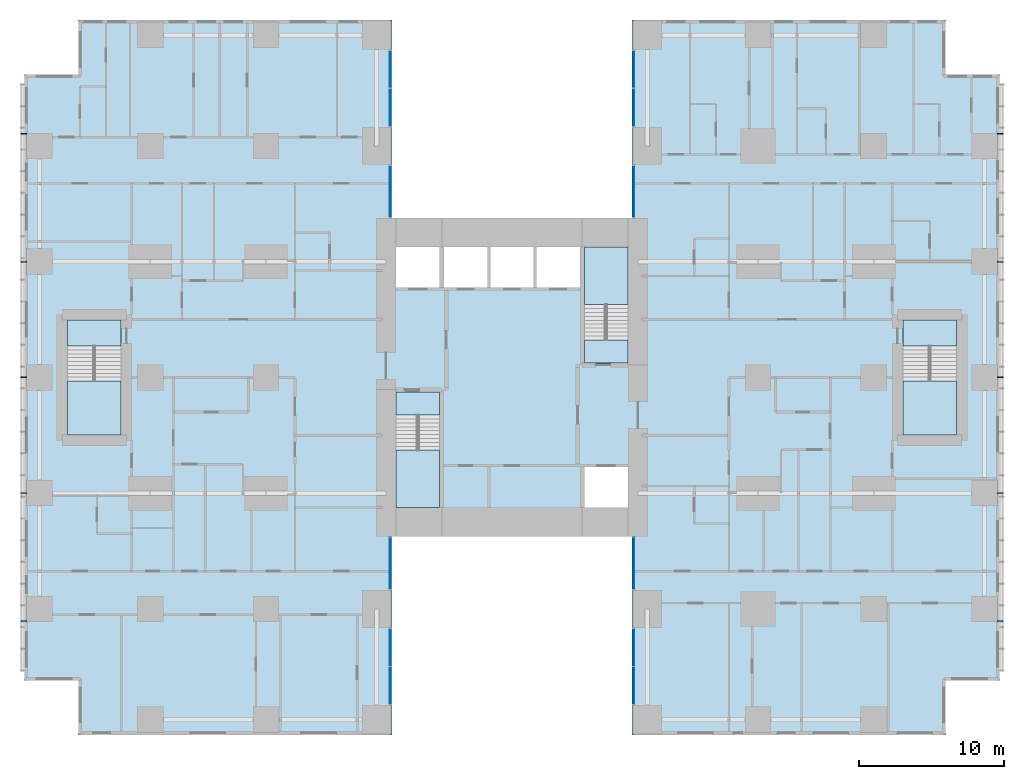
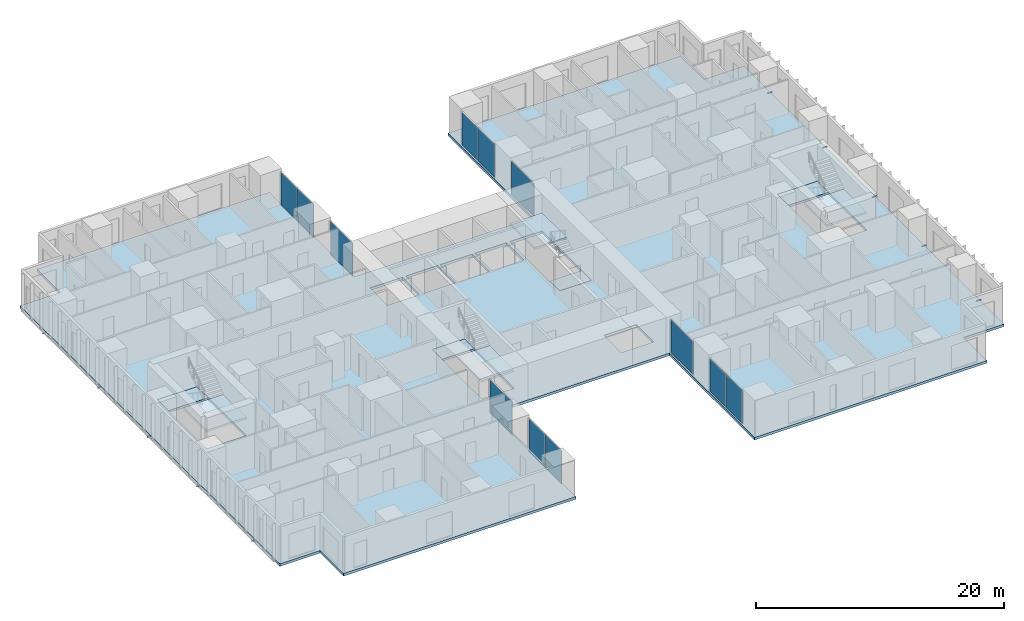
# One storey, part 7 of 20: 12 plates, 10 members, 9 slabs, 12 elements without a shape of their own.
"""IFC4 building model written with IfcOpenShell, lengths in metres."""

from ifc_helpers import new_model, si_unit, direction, frame, origin, origin_2d, place, context, subcontext, project, spatial, polyline, rectangle, hollow_rectangle, outline, extrude, material, layer, layer_set, material_profile, profile_set, type_object, element, aggregate, save


model = new_model("IFC4")

# Units and contexts
model_context = context("Model", 3, precision=1e-05, world=origin(), true_north=direction((0.0, 1.0)))
body_context = subcontext(model_context, "Body", "Model", "MODEL_VIEW")
ifc_project = project(units=[si_unit("LENGTHUNIT", "METRE"), si_unit("AREAUNIT", "SQUARE_METRE"), si_unit("VOLUMEUNIT", "CUBIC_METRE"), si_unit("PLANEANGLEUNIT", "RADIAN"), si_unit("MASSUNIT", "GRAM", prefix="KILO")], contexts=[model_context])

# Site, building, storey
site_placement = place(None, origin())
site = spatial("IfcSite", under=ifc_project, at=site_placement, CompositionType="ELEMENT")
building_placement = place(site_placement, origin())
building = spatial("IfcBuilding", under=site, at=building_placement, Name="Cleftline Residences", CompositionType="ELEMENT")
storey_placement = place(building_placement, frame((0.0, 0.0, 193.0)))
storey = spatial("IfcBuildingStorey", under=building, at=storey_placement, Name="L50", CompositionType="ELEMENT", Elevation=193.0)

# Members
ifc_material_1 = material(Name="Steel S355, hot-dip galvanised", Category="steel")
ifc_material_profile = material_profile(ifc_material_1, hollow_rectangle(XDim=0.10009765625, YDim=0.10009765625, WallThickness=0.008056640625, InnerFilletRadius=0.008056640625, OuterFilletRadius=0.011962890625, at=origin_2d()))
ifc_profile_set = profile_set([ifc_material_profile], Name="Steel S355, hot-dip galvanised")
member_type = type_object("IfcMemberType", Name="BAGUETTE BRACKET SHS 100X100X8", PredefinedType="USERDEFINED", material=ifc_profile_set)
for number, where, z_axis, x_axis, name in (
    (1, (66.5, 7.14990234375, -0.14990234375), (1.0, 0.0, 0.0), (0.0, 1.0, 0.0), "Baguette bracket"),
    (2, (66.5, 16.0, -0.14990234375), (1.0, 0.0, 0.0), (0.0, 1.0, 0.0), "Baguette bracket"),
    (3, (66.5, 24.0, -0.14990234375), (1.0, 0.0, 0.0), (0.0, 1.0, 0.0), "Baguette bracket"),
    (4, (66.5, 32.0, -0.14990234375), (1.0, 0.0, 0.0), (0.0, 1.0, 0.0), "Baguette bracket"),
    (5, (66.5, 40.85009765625, -0.14990234375), (1.0, 0.0, 0.0), (0.0, 1.0, 0.0), "Baguette bracket"),
    (6, (-0.5, 40.85009765625, -0.14990234375), (-1.0, 0.0, 0.0), (0.0, -1.0, 0.0), "Baguette bracket"),
    (7, (-0.5, 32.0, -0.14990234375), (-1.0, 0.0, 0.0), (0.0, -1.0, 0.0), "Baguette bracket"),
    (8, (-0.5, 24.0, -0.14990234375), (-1.0, 0.0, 0.0), (0.0, -1.0, 0.0), "Baguette bracket"),
    (9, (-0.5, 16.0, -0.14990234375), (-1.0, 0.0, 0.0), (0.0, -1.0, 0.0), "Baguette bracket"),
    (10, (-0.5, 7.14990234375, -0.14990234375), (-1.0, 0.0, 0.0), (0.0, -1.0, 0.0), "Baguette bracket"),
):
    element("IfcMember", number, at=place(storey_placement, frame(where, z_axis=z_axis, x_axis=x_axis)), inside=storey, type_object=member_type, Name=name, ObjectType="BAGUETTE BRACKET", PredefinedType="USERDEFINED", context=body_context, shape_type="SweptSolid", body=[
        extrude(hollow_rectangle(XDim=0.10009765625, YDim=0.10009765625, WallThickness=0.008056640625, InnerFilletRadius=0.008056640625, OuterFilletRadius=0.011962890625, at=origin_2d()), origin(), (0.0, 0.0, 1.0), 0.449951171875),
    ])

# Curtain wall, plates
ifc_material_2 = material(Name="Aluminium framed curtain wall", Category="aluminium")
ifc_layer_1 = layer(ifc_material_2, 0.199951171875)
ifc_layer_set_1 = layer_set([ifc_layer_1], Name="CW1 CLEFT GLAZING")
curtain_wall_type = type_object("IfcCurtainWallType", Name="CW1 CLEFT GLAZING", PredefinedType="NOTDEFINED", material=ifc_layer_set_1)
curtain_wall_1_placement = place(storey_placement, origin())
curtain_wall_1 = element("IfcCurtainWall", 11, at=curtain_wall_1_placement, inside=storey, type_object=curtain_wall_type, Name="Curtain wall CW1", PredefinedType="NOTDEFINED")
ifc_material_3 = material(Name="Laminated clear glass", Category="glass")
ifc_layer_2 = layer(ifc_material_3, 0.028076171875)
ifc_layer_set_2 = layer_set([ifc_layer_2], Name="CW1 GLASS PANEL")
plate_type = type_object("IfcPlateType", Name="CW1 GLASS PANEL", PredefinedType="CURTAIN_PANEL", material=ifc_layer_set_2)
plate_1_placement = place(storey_placement, frame((24.574951171875, 2.702392578125, 0.06005859375), z_axis=(0.0, 0.0, 1.0), x_axis=(0.0, 1.0, 0.0)))
plate_1 = element("IfcPlate", 12, at=plate_1_placement, type_object=plate_type, Name="CW1 panel 1.1", PredefinedType="CURTAIN_PANEL", context=body_context, shape_type="SweptSolid", body=[
    extrude(rectangle(XDim=2.5849609375, YDim=0.028076171875, at=origin_2d()), origin(), (0.0, 0.0, 1.0), 3.22998046875),
])
plate_2_placement = place(storey_placement, frame((24.574951171875, 5.347412109375, 0.06005859375), z_axis=(0.0, 0.0, 1.0), x_axis=(0.0, 1.0, 0.0)))
plate_2 = element("IfcPlate", 13, at=plate_2_placement, type_object=plate_type, Name="CW1 panel 2.1", PredefinedType="CURTAIN_PANEL", context=body_context, shape_type="SweptSolid", body=[
    extrude(rectangle(XDim=2.5849609375, YDim=0.028076171875, at=origin_2d()), origin(), (0.0, 0.0, 1.0), 3.22998046875),
])
aggregate(curtain_wall_1, [plate_1, plate_2])

# Curtain wall, plate
curtain_wall_2_placement = place(storey_placement, origin())
curtain_wall_2 = element("IfcCurtainWall", 14, at=curtain_wall_2_placement, inside=storey, type_object=curtain_wall_type, Name="Curtain wall CW1", PredefinedType="NOTDEFINED")
plate_3_placement = place(storey_placement, frame((24.574951171875, 11.14990234375, 0.06005859375), z_axis=(0.0, 0.0, 1.0), x_axis=(0.0, 1.0, 0.0)))
plate_3 = element("IfcPlate", 15, at=plate_3_placement, type_object=plate_type, Name="CW1 panel 1.1", PredefinedType="CURTAIN_PANEL", context=body_context, shape_type="SweptSolid", body=[
    extrude(rectangle(XDim=3.580078125, YDim=0.028076171875, at=origin_2d()), origin(), (0.0, 0.0, 1.0), 3.22998046875),
])
aggregate(curtain_wall_2, [plate_3])

curtain_wall_3_placement = place(storey_placement, origin())
curtain_wall_3 = element("IfcCurtainWall", 16, at=curtain_wall_3_placement, inside=storey, type_object=curtain_wall_type, Name="Curtain wall CW1", PredefinedType="NOTDEFINED")
plate_4_placement = place(storey_placement, frame((41.425048828125, 11.14990234375, 0.06005859375), z_axis=(0.0, 0.0, 1.0), x_axis=(0.0, -1.0, 0.0)))
plate_4 = element("IfcPlate", 17, at=plate_4_placement, type_object=plate_type, Name="CW1 panel 1.1", PredefinedType="CURTAIN_PANEL", context=body_context, shape_type="SweptSolid", body=[
    extrude(rectangle(XDim=3.580078125, YDim=0.028076171875, at=origin_2d()), origin(), (0.0, 0.0, 1.0), 3.22998046875),
])
aggregate(curtain_wall_3, [plate_4])

# Curtain wall, plates
curtain_wall_4_placement = place(storey_placement, origin())
curtain_wall_4 = element("IfcCurtainWall", 18, at=curtain_wall_4_placement, inside=storey, type_object=curtain_wall_type, Name="Curtain wall CW1", PredefinedType="NOTDEFINED")
plate_5_placement = place(storey_placement, frame((41.425048828125, 5.347412109375, 0.06005859375), z_axis=(0.0, 0.0, 1.0), x_axis=(0.0, -1.0, 0.0)))
plate_5 = element("IfcPlate", 19, at=plate_5_placement, type_object=plate_type, Name="CW1 panel 1.1", PredefinedType="CURTAIN_PANEL", context=body_context, shape_type="SweptSolid", body=[
    extrude(rectangle(XDim=2.5849609375, YDim=0.028076171875, at=origin_2d()), origin(), (0.0, 0.0, 1.0), 3.22998046875),
])
plate_6_placement = place(storey_placement, frame((41.425048828125, 2.702392578125, 0.06005859375), z_axis=(0.0, 0.0, 1.0), x_axis=(0.0, -1.0, 0.0)))
plate_6 = element("IfcPlate", 20, at=plate_6_placement, type_object=plate_type, Name="CW1 panel 2.1", PredefinedType="CURTAIN_PANEL", context=body_context, shape_type="SweptSolid", body=[
    extrude(rectangle(XDim=2.5849609375, YDim=0.028076171875, at=origin_2d()), origin(), (0.0, 0.0, 1.0), 3.22998046875),
])
aggregate(curtain_wall_4, [plate_5, plate_6])

curtain_wall_5_placement = place(storey_placement, origin())
curtain_wall_5 = element("IfcCurtainWall", 21, at=curtain_wall_5_placement, inside=storey, type_object=curtain_wall_type, Name="Curtain wall CW1", PredefinedType="NOTDEFINED")
plate_7_placement = place(storey_placement, frame((41.425048828125, 45.297607421875, 0.06005859375), z_axis=(0.0, 0.0, 1.0), x_axis=(0.0, -1.0, 0.0)))
plate_7 = element("IfcPlate", 22, at=plate_7_placement, type_object=plate_type, Name="CW1 panel 1.1", PredefinedType="CURTAIN_PANEL", context=body_context, shape_type="SweptSolid", body=[
    extrude(rectangle(XDim=2.5849609375, YDim=0.028076171875, at=origin_2d()), origin(), (0.0, 0.0, 1.0), 3.22998046875),
])
plate_8_placement = place(storey_placement, frame((41.425048828125, 42.652587890625, 0.06005859375), z_axis=(0.0, 0.0, 1.0), x_axis=(0.0, -1.0, 0.0)))
plate_8 = element("IfcPlate", 23, at=plate_8_placement, type_object=plate_type, Name="CW1 panel 2.1", PredefinedType="CURTAIN_PANEL", context=body_context, shape_type="SweptSolid", body=[
    extrude(rectangle(XDim=2.5849609375, YDim=0.028076171875, at=origin_2d()), origin(), (0.0, 0.0, 1.0), 3.22998046875),
])
aggregate(curtain_wall_5, [plate_7, plate_8])

# Curtain wall, plate
curtain_wall_6_placement = place(storey_placement, origin())
curtain_wall_6 = element("IfcCurtainWall", 24, at=curtain_wall_6_placement, inside=storey, type_object=curtain_wall_type, Name="Curtain wall CW1", PredefinedType="NOTDEFINED")
plate_9_placement = place(storey_placement, frame((41.425048828125, 36.85009765625, 0.06005859375), z_axis=(0.0, 0.0, 1.0), x_axis=(0.0, -1.0, 0.0)))
plate_9 = element("IfcPlate", 25, at=plate_9_placement, type_object=plate_type, Name="CW1 panel 1.1", PredefinedType="CURTAIN_PANEL", context=body_context, shape_type="SweptSolid", body=[
    extrude(rectangle(XDim=3.580078125, YDim=0.028076171875, at=origin_2d()), origin(), (0.0, 0.0, 1.0), 3.22998046875),
])
aggregate(curtain_wall_6, [plate_9])

curtain_wall_7_placement = place(storey_placement, origin())
curtain_wall_7 = element("IfcCurtainWall", 26, at=curtain_wall_7_placement, inside=storey, type_object=curtain_wall_type, Name="Curtain wall CW1", PredefinedType="NOTDEFINED")
plate_10_placement = place(storey_placement, frame((24.574951171875, 36.85009765625, 0.06005859375), z_axis=(0.0, 0.0, 1.0), x_axis=(0.0, 1.0, 0.0)))
plate_10 = element("IfcPlate", 27, at=plate_10_placement, type_object=plate_type, Name="CW1 panel 1.1", PredefinedType="CURTAIN_PANEL", context=body_context, shape_type="SweptSolid", body=[
    extrude(rectangle(XDim=3.580078125, YDim=0.028076171875, at=origin_2d()), origin(), (0.0, 0.0, 1.0), 3.22998046875),
])
aggregate(curtain_wall_7, [plate_10])

# Curtain wall, plates
curtain_wall_8_placement = place(storey_placement, origin())
curtain_wall_8 = element("IfcCurtainWall", 28, at=curtain_wall_8_placement, inside=storey, type_object=curtain_wall_type, Name="Curtain wall CW1", PredefinedType="NOTDEFINED")
plate_11_placement = place(storey_placement, frame((24.574951171875, 42.652587890625, 0.06005859375), z_axis=(0.0, 0.0, 1.0), x_axis=(0.0, 1.0, 0.0)))
plate_11 = element("IfcPlate", 29, at=plate_11_placement, type_object=plate_type, Name="CW1 panel 1.1", PredefinedType="CURTAIN_PANEL", context=body_context, shape_type="SweptSolid", body=[
    extrude(rectangle(XDim=2.5849609375, YDim=0.028076171875, at=origin_2d()), origin(), (0.0, 0.0, 1.0), 3.22998046875),
])
plate_12_placement = place(storey_placement, frame((24.574951171875, 45.297607421875, 0.06005859375), z_axis=(0.0, 0.0, 1.0), x_axis=(0.0, 1.0, 0.0)))
plate_12 = element("IfcPlate", 30, at=plate_12_placement, type_object=plate_type, Name="CW1 panel 2.1", PredefinedType="CURTAIN_PANEL", context=body_context, shape_type="SweptSolid", body=[
    extrude(rectangle(XDim=2.5849609375, YDim=0.028076171875, at=origin_2d()), origin(), (0.0, 0.0, 1.0), 3.22998046875),
])
aggregate(curtain_wall_8, [plate_11, plate_12])

# Slab
ifc_material_4 = material(Name="Concrete B45", Category="concrete")
ifc_layer_3 = layer(ifc_material_4, 0.25)
ifc_layer_set_3 = layer_set([ifc_layer_3], Name="FLOOR SLAB 250")
slab_type_1 = type_object("IfcSlabType", Name="FLOOR SLAB 250", PredefinedType="FLOOR", material=ifc_layer_set_3)
slab_1_placement = place(storey_placement, frame((0.0, 0.0, -0.25)))
element("IfcSlab", 31, at=slab_1_placement, inside=storey, type_object=slab_type_1, Name="Floor slab L50", PredefinedType="FLOOR", context=body_context, shape_type="SweptSolid", body=[
    extrude(outline(polyline([(24.699951171875, 13.0), (41.300048828125, 13.0), (41.300048828125, -0.699951171875), (62.949951171875, -0.699951171875), (62.949951171875, 3.050048828125), (66.699951171875, 3.050048828125), (66.699951171875, 44.949951171875), (62.949951171875, 44.949951171875), (62.949951171875, 48.699951171875), (41.300048828125, 48.699951171875), (41.300048828125, 35.0), (24.699951171875, 35.0), (24.699951171875, 48.699951171875), (3.050048828125, 48.699951171875), (3.050048828125, 44.949951171875), (-0.699951171875, 44.949951171875), (-0.699951171875, 3.050048828125), (3.050048828125, 3.050048828125), (3.050048828125, -0.699951171875), (24.699951171875, -0.699951171875), (24.699951171875, 13.0)]), holes=[polyline([(28.0, 15.0), (28.0, 23.0), (25.0, 23.0), (25.0, 15.0), (28.0, 15.0)]), polyline([(41.0, 25.0), (41.0, 33.0), (38.0, 33.0), (38.0, 25.0), (41.0, 25.0)]), polyline([(28.0, 30.199951171875), (28.0, 33.0), (25.0, 33.0), (25.0, 30.199951171875), (28.0, 30.199951171875)]), polyline([(41.0, 15.0), (41.0, 17.800048828125), (38.0, 17.800048828125), (38.0, 15.0), (41.0, 15.0)]), polyline([(31.300048828125, 30.199951171875), (31.300048828125, 33.0), (28.300048828125, 33.0), (28.300048828125, 30.199951171875), (31.300048828125, 30.199951171875)]), polyline([(34.5, 30.199951171875), (34.5, 33.0), (31.5, 33.0), (31.5, 30.199951171875), (34.5, 30.199951171875)]), polyline([(37.699951171875, 30.199951171875), (37.699951171875, 33.0), (34.699951171875, 33.0), (34.699951171875, 30.199951171875), (37.699951171875, 30.199951171875)]), polyline([(63.72509765625, 20.02490234375), (63.72509765625, 27.97509765625), (60.02490234375, 27.97509765625), (60.02490234375, 20.02490234375), (63.72509765625, 20.02490234375)]), polyline([(5.97509765625, 20.02490234375), (5.97509765625, 27.97509765625), (2.27490234375, 27.97509765625), (2.27490234375, 20.02490234375), (5.97509765625, 20.02490234375)])]), origin(), (0.0, 0.0, 1.0), 0.25),
])

# Stair, slabs
ifc_material_5 = material(Name="Concrete B45, stone treads", Category="masonry")
stair_type_1 = type_object("IfcStairType", Name="STAIR A 1450 WIDE 180 RISER", PredefinedType="HALF_TURN_STAIR", material=ifc_material_5)
stair_1_placement = place(storey_placement, origin())
stair_1 = element("IfcStair", 32, at=stair_1_placement, inside=storey, type_object=stair_type_1, Name="Stair A L50", PredefinedType="HALF_TURN_STAIR")
ifc_material_6 = material(Name="Concrete B45", Category="concrete")
ifc_layer_4 = layer(ifc_material_6, 0.199951171875)
ifc_layer_set_4 = layer_set([ifc_layer_4], Name="STAIR LANDING 200")
slab_type_2 = type_object("IfcSlabType", Name="STAIR LANDING 200", PredefinedType="LANDING", material=ifc_layer_set_4)
slab_2_placement = place(storey_placement, frame((0.0, 0.0, -0.199951171875)))
slab_2 = element("IfcSlab", 33, at=slab_2_placement, type_object=slab_type_2, Name="ST-A landing 1", PredefinedType="LANDING", context=body_context, shape_type="SweptSolid", body=[
    extrude(outline(polyline([(25.0, 21.39990234375), (28.0, 21.39990234375), (28.0, 23.0), (25.0, 23.0), (25.0, 21.39990234375)])), origin(), (0.0, 0.0, 1.0), 0.199951171875),
])
slab_3_placement = place(storey_placement, frame((0.0, 0.0, 1.60009765625)))
slab_3 = element("IfcSlab", 34, at=slab_3_placement, type_object=slab_type_2, Name="ST-A landing 2", PredefinedType="LANDING", context=body_context, shape_type="SweptSolid", body=[
    extrude(outline(polyline([(25.0, 15.0), (28.0, 15.0), (28.0, 18.969970703125), (25.0, 18.969970703125), (25.0, 15.0)])), origin(), (0.0, 0.0, 1.0), 0.199951171875),
])
aggregate(stair_1, [slab_2, slab_3])

ifc_material_7 = material(Name="Concrete B45, stone treads", Category="masonry")
stair_type_2 = type_object("IfcStairType", Name="STAIR B 1450 WIDE 180 RISER", PredefinedType="HALF_TURN_STAIR", material=ifc_material_7)
stair_2_placement = place(storey_placement, origin())
stair_2 = element("IfcStair", 35, at=stair_2_placement, inside=storey, type_object=stair_type_2, Name="Stair B L50", PredefinedType="HALF_TURN_STAIR")
slab_4_placement = place(storey_placement, frame((0.0, 0.0, -0.199951171875)))
slab_4 = element("IfcSlab", 36, at=slab_4_placement, type_object=slab_type_2, Name="ST-B landing 1", PredefinedType="LANDING", context=body_context, shape_type="SweptSolid", body=[
    extrude(outline(polyline([(38.0, 25.0), (41.0, 25.0), (41.0, 26.60009765625), (38.0, 26.60009765625), (38.0, 25.0)])), origin(), (0.0, 0.0, 1.0), 0.199951171875),
])
slab_5_placement = place(storey_placement, frame((0.0, 0.0, 1.60009765625)))
slab_5 = element("IfcSlab", 37, at=slab_5_placement, type_object=slab_type_2, Name="ST-B landing 2", PredefinedType="LANDING", context=body_context, shape_type="SweptSolid", body=[
    extrude(outline(polyline([(38.0, 29.030029296875), (41.0, 29.030029296875), (41.0, 33.0), (38.0, 33.0), (38.0, 29.030029296875)])), origin(), (0.0, 0.0, 1.0), 0.199951171875),
])
aggregate(stair_2, [slab_4, slab_5])

ifc_material_8 = material(Name="Concrete B45, stone treads", Category="masonry")
stair_type_3 = type_object("IfcStairType", Name="STAIR E 1800 WIDE 180 RISER", PredefinedType="HALF_TURN_STAIR", material=ifc_material_8)
stair_3_placement = place(storey_placement, origin())
stair_3 = element("IfcStair", 38, at=stair_3_placement, inside=storey, type_object=stair_type_3, Name="Stair E L50", PredefinedType="HALF_TURN_STAIR")
slab_6_placement = place(storey_placement, frame((0.0, 0.0, -0.199951171875)))
slab_6 = element("IfcSlab", 39, at=slab_6_placement, type_object=slab_type_2, Name="ST-E landing 1", PredefinedType="LANDING", context=body_context, shape_type="SweptSolid", body=[
    extrude(outline(polyline([(60.02490234375, 26.175048828125), (63.72509765625, 26.175048828125), (63.72509765625, 27.97509765625), (60.02490234375, 27.97509765625), (60.02490234375, 26.175048828125)])), origin(), (0.0, 0.0, 1.0), 0.199951171875),
])
slab_7_placement = place(storey_placement, frame((0.0, 0.0, 1.60009765625)))
slab_7 = element("IfcSlab", 40, at=slab_7_placement, type_object=slab_type_2, Name="ST-E landing 2", PredefinedType="LANDING", context=body_context, shape_type="SweptSolid", body=[
    extrude(outline(polyline([(60.02490234375, 20.02490234375), (63.72509765625, 20.02490234375), (63.72509765625, 23.7451171875), (60.02490234375, 23.7451171875), (60.02490234375, 20.02490234375)])), origin(), (0.0, 0.0, 1.0), 0.199951171875),
])
aggregate(stair_3, [slab_6, slab_7])

ifc_material_9 = material(Name="Concrete B45, stone treads", Category="masonry")
stair_type_4 = type_object("IfcStairType", Name="STAIR W 1800 WIDE 180 RISER", PredefinedType="HALF_TURN_STAIR", material=ifc_material_9)
stair_4_placement = place(storey_placement, origin())
stair_4 = element("IfcStair", 41, at=stair_4_placement, inside=storey, type_object=stair_type_4, Name="Stair W L50", PredefinedType="HALF_TURN_STAIR")
slab_8_placement = place(storey_placement, frame((0.0, 0.0, -0.199951171875)))
slab_8 = element("IfcSlab", 42, at=slab_8_placement, type_object=slab_type_2, Name="ST-W landing 1", PredefinedType="LANDING", context=body_context, shape_type="SweptSolid", body=[
    extrude(outline(polyline([(2.27490234375, 26.175048828125), (5.97509765625, 26.175048828125), (5.97509765625, 27.97509765625), (2.27490234375, 27.97509765625), (2.27490234375, 26.175048828125)])), origin(), (0.0, 0.0, 1.0), 0.199951171875),
])
slab_9_placement = place(storey_placement, frame((0.0, 0.0, 1.60009765625)))
slab_9 = element("IfcSlab", 43, at=slab_9_placement, type_object=slab_type_2, Name="ST-W landing 2", PredefinedType="LANDING", context=body_context, shape_type="SweptSolid", body=[
    extrude(outline(polyline([(2.27490234375, 20.02490234375), (5.97509765625, 20.02490234375), (5.97509765625, 23.7451171875), (2.27490234375, 23.7451171875), (2.27490234375, 20.02490234375)])), origin(), (0.0, 0.0, 1.0), 0.199951171875),
])
aggregate(stair_4, [slab_8, slab_9])

save(model, "model.ifc")
